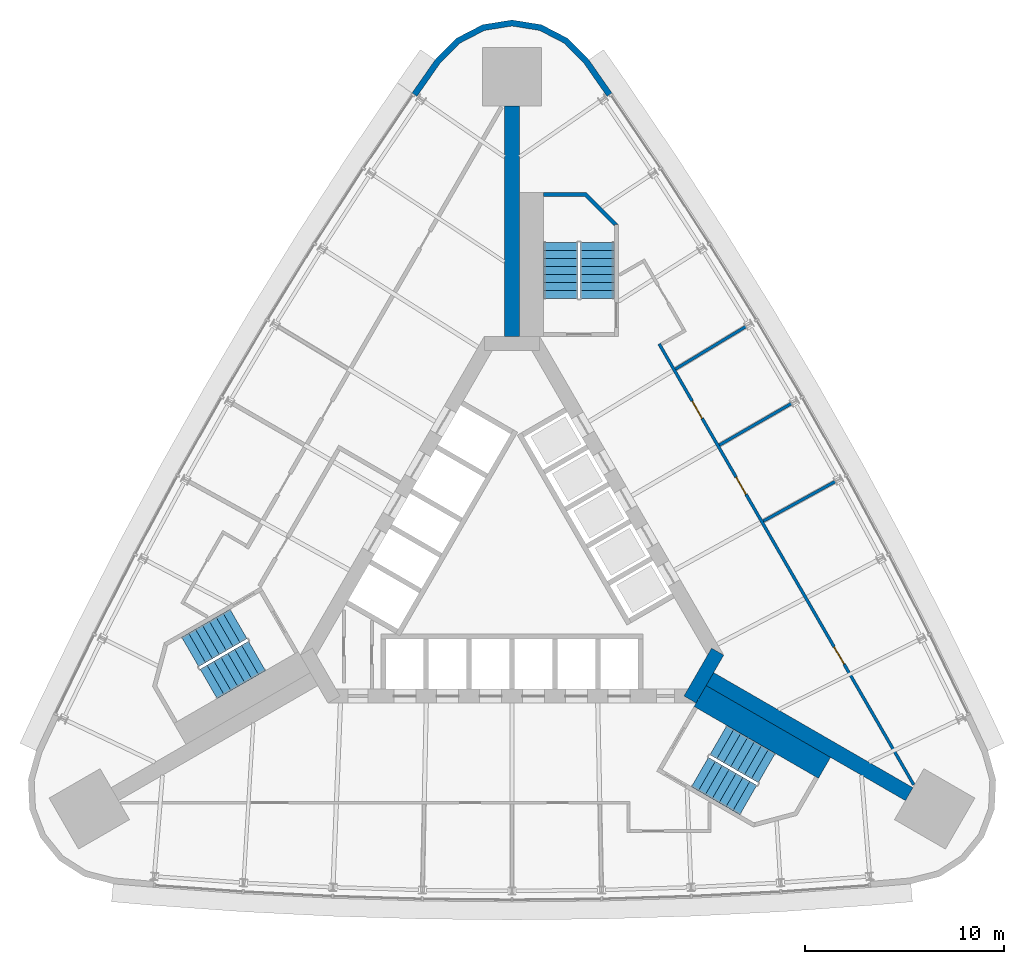
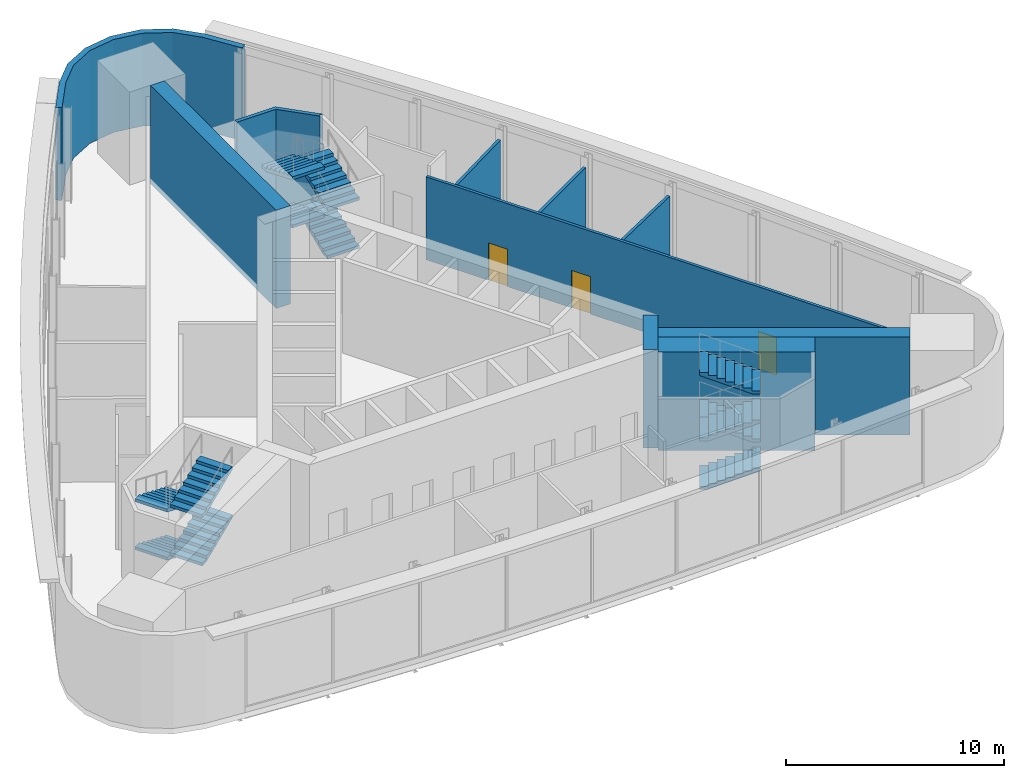
# One storey, part 8 of 11: 12 stair flights, 10 walls, 3 doors, 3 openings, 3 elements without a shape of their own.
"""IFC4 building model written with IfcOpenShell, lengths in metres."""

from ifc_helpers import new_model, si_unit, direction, frame, frame_2d, origin, place, context, subcontext, project, spatial, polyline, rectangle, outline, extrude, material, layer, layer_set, type_object, element, fill, aggregate, save


model = new_model("IFC4")

# Units and contexts
model_context = context("Model", 3, precision=1e-05, world=origin(), true_north=direction((0.0, 1.0)))
body_context = subcontext(model_context, "Body", "Model", "MODEL_VIEW")
ifc_project = project(units=[si_unit("LENGTHUNIT", "METRE"), si_unit("AREAUNIT", "SQUARE_METRE"), si_unit("VOLUMEUNIT", "CUBIC_METRE"), si_unit("PLANEANGLEUNIT", "RADIAN"), si_unit("MASSUNIT", "GRAM", prefix="KILO")], contexts=[model_context])

# Site, building, storey
site_placement = place(None, origin())
site = spatial("IfcSite", under=ifc_project, at=site_placement, CompositionType="ELEMENT")
building_placement = place(site_placement, origin())
building = spatial("IfcBuilding", under=site, at=building_placement, Name="Noor Cloister Tower", CompositionType="ELEMENT")
storey_placement = place(building_placement, frame((0.0, 0.0, 134.699951171875)))
storey = spatial("IfcBuildingStorey", under=building, at=storey_placement, Name="L34", CompositionType="ELEMENT", Elevation=134.699951171875)

# Walls
ifc_material_1 = material(Name="Concrete C70/85", Category="concrete")
ifc_layer_1 = layer(ifc_material_1, 0.75)
ifc_layer_set_1 = layer_set([ifc_layer_1], Name="Buttress wall 750 C70/85")
wall_type_1 = type_object("IfcWallType", Name="Buttress wall 750 C70/85", PredefinedType="SHEAR", material=ifc_layer_set_1)
wall_1_placement = place(storey_placement, frame((0.0, 11.456298828125, -0.300048828125), z_axis=(0.0, 0.0, 1.0), x_axis=(0.0, 1.0, 0.0)))
element("IfcWall", 1, at=wall_1_placement, inside=storey, type_object=wall_type_1, Name="Buttress wall N L34", PredefinedType="SHEAR", context=body_context, shape_type="SweptSolid", body=[
    extrude(rectangle(XDim=11.538818359375, YDim=0.75, at=frame_2d((5.76953125, 0.0))), origin(), (0.0, 0.0, 1.0), 5.5),
])
wall_2_placement = place(storey_placement, frame((9.921630859375, -5.728271484375, -0.300048828125), z_axis=(0.0, 0.0, 1.0), x_axis=(0.866024913782, -0.500000848707, 0.0)))
element("IfcWall", 2, at=wall_2_placement, inside=storey, type_object=wall_type_1, Name="Buttress wall SE L34", PredefinedType="SHEAR", context=body_context, shape_type="SweptSolid", body=[
    extrude(rectangle(XDim=11.53857421875, YDim=0.75, at=frame_2d((5.769287109375, 0.0))), origin(), (0.0, 0.0, 1.0), 5.5),
])
ifc_material_2 = material(Name="Concrete C70/85", Category="concrete")
ifc_layer_2 = layer(ifc_material_2, 0.699951171875)
ifc_layer_set_2 = layer_set([ifc_layer_2], Name="Core wall 700 C70/85")
wall_type_2 = type_object("IfcWallType", Name="Core wall 700 C70/85", PredefinedType="SHEAR", material=ifc_layer_set_2)
wall_3_placement = place(storey_placement, frame((8.925537109375, -6.753173828125, -0.300048828125), z_axis=(0.0, 0.0, 1.0), x_axis=(0.500042739161, 0.866000726912, 0.0)))
element("IfcWall", 3, at=wall_3_placement, inside=storey, type_object=wall_type_2, Name="Core wall L34 2", PredefinedType="SHEAR", context=body_context, shape_type="SweptSolid", body=[
    extrude(rectangle(XDim=2.771240234375, YDim=0.699951171875, at=frame_2d((1.3857421875, 0.0))), origin(), (0.0, 0.0, 1.0), 5.5),
])
ifc_material_3 = material(Name="Limestone", Category="masonry")
ifc_layer_3 = layer(ifc_material_3, 0.300048828125)
ifc_layer_set_3 = layer_set([ifc_layer_3], Name="Limestone cladding 300")
wall_type_3 = type_object("IfcWallType", Name="Limestone cladding 300", PredefinedType="NOTDEFINED", material=ifc_layer_set_3)
wall_4_placement = place(storey_placement, origin())
element("IfcWall", 4, at=wall_4_placement, inside=storey, type_object=wall_type_3, Name="Limestone pier cladding L34 3.1", PredefinedType="NOTDEFINED", context=body_context, shape_type="SweptSolid", body=[
    extrude(outline(polyline([(5.0126953125, 23.65576171875), (3.853271484375, 25.31689453125), (2.807373046875, 26.38818359375), (1.478271484375, 27.07763671875), (0.0, 27.3154296875), (-1.478271484375, 27.07763671875), (-2.807373046875, 26.38818359375), (-3.853271484375, 25.31689453125), (-5.0126953125, 23.65576171875), (-4.7666015625, 23.484130859375), (-3.621337890625, 25.125), (-2.62646484375, 26.14404296875), (-1.3828125, 26.7890625), (0.0, 27.011474609375), (1.3828125, 26.7890625), (2.62646484375, 26.14404296875), (3.621337890625, 25.125), (4.7666015625, 23.484130859375), (5.0126953125, 23.65576171875)])), origin(), (0.0, 0.0, 1.0), 5.199951171875),
])
ifc_material_4 = material(Name="Concrete C70/85", Category="concrete")
ifc_layer_4 = layer(ifc_material_4, 1.2109375)
ifc_layer_set_4 = layer_set([ifc_layer_4], Name="Stair enclosure wall 1211 C70/85")
wall_type_4 = type_object("IfcWallType", Name="Stair enclosure wall 1211 C70/85", PredefinedType="SHEAR", material=ifc_layer_set_4)
wall_5_placement = place(storey_placement, frame((9.431396484375, -6.5771484375, -0.300048828125), z_axis=(0.0, 0.0, 1.0), x_axis=(0.866018442252, -0.500012057535, 0.0)))
element("IfcWall", 5, at=wall_5_placement, inside=storey, type_object=wall_type_4, Name="Stair enclosure wall ST3 L34 riser side", PredefinedType="SHEAR", context=body_context, shape_type="SweptSolid", body=[
    extrude(rectangle(XDim=7.199951171875, YDim=1.210693359375, at=frame_2d((3.60009765625, 0.0))), origin(), (0.0, 0.0, 1.0), 5.5),
])
ifc_material_5 = material(Name="Concrete C70/85", Category="concrete")
wall_type_5 = type_object("IfcWallType", Name="Stair far end wall C70/85", PredefinedType="SHEAR", material=ifc_material_5)
wall_6_placement = place(storey_placement, frame((0.0, 0.0, -0.300048828125)))
element("IfcWall", 6, at=wall_6_placement, inside=storey, type_object=wall_type_5, Name="Stair enclosure wall ST1 L34 far end", PredefinedType="SHEAR", context=body_context, shape_type="SweptSolid", body=[
    extrude(outline(polyline([(5.335693359375, 17.056396484375), (3.735595703125, 18.656494140625), (1.585693359375, 18.656494140625), (1.585693359375, 18.456298828125), (3.65283203125, 18.456298828125), (5.135498046875, 16.9736328125), (5.135498046875, 17.056396484375), (5.135498046875, 17.056396484375), (5.135498046875, 17.056396484375), (5.135498046875, 17.056396484375), (5.135498046875, 17.056396484375), (5.135498046875, 17.056396484375), (5.135498046875, 17.056396484375), (5.135498046875, 17.056396484375), (5.135498046875, 17.056396484375), (5.135498046875, 17.056396484375), (5.135498046875, 17.056396484375), (5.135498046875, 17.056396484375), (5.135498046875, 17.056396484375), (5.135498046875, 17.056396484375), (5.135498046875, 17.056396484375), (5.135498046875, 17.056396484375), (5.135498046875, 17.056396484375), (5.335693359375, 17.056396484375)])), origin(), (0.0, 0.0, 1.0), 5.5),
])

# Wall, openings, doors
ifc_material_6 = material(Name="Fire-rated gypsum board partition on steel studs, 150 mm", Category="steel")
ifc_layer_5 = layer(ifc_material_6, 0.14990234375)
ifc_layer_set_5 = layer_set([ifc_layer_5], Name="Upper floor corridor wall 150")
wall_type_6 = type_object("IfcWallType", Name="Upper floor corridor wall 150", PredefinedType="PARTITIONING", material=ifc_layer_set_5)
wall_7_placement = place(storey_placement, frame((7.376708984375, 11.079345703125, 0.0), z_axis=(0.0, 0.0, 1.0), x_axis=(0.500006395474, -0.866021711325, 0.0)))
wall_7 = element("IfcWall", 7, at=wall_7_placement, inside=storey, type_object=wall_type_6, Name="Upper floor corridor wall 150 L34 017", PredefinedType="PARTITIONING", context=body_context, shape_type="SweptSolid", body=[
    extrude(rectangle(XDim=25.529052734375, YDim=0.14990234375, at=frame_2d((12.7646484375, 0.0))), origin(), (0.0, 0.0, 1.0), 4.64697265625),
])
opening_1_placement = place(wall_7_placement, frame((17.54052734375, 0.0, 0.0)))
opening_1 = element("IfcOpeningElement", 8, at=opening_1_placement, cuts=wall_7, Name="Opening L34-010", PredefinedType="OPENING", context=body_context, shape_type="SweptSolid", body=[
    extrude(rectangle(XDim=1.0, YDim=2.10009765625, at=frame_2d((0.5, 1.050048828125))), frame((0.0, 0.0849609375, 0.0), z_axis=(0.0, -1.0, 0.0), x_axis=(1.0, 0.0, 0.0)), (0.0, 0.0, 1.0), 0.169921875),
])
opening_2_placement = place(wall_7_placement, frame((7.710205078125, 0.0, 0.0)))
opening_2 = element("IfcOpeningElement", 9, at=opening_2_placement, cuts=wall_7, Name="Opening L34-011", PredefinedType="OPENING", context=body_context, shape_type="SweptSolid", body=[
    extrude(rectangle(XDim=1.0, YDim=2.10009765625, at=frame_2d((0.5, 1.050048828125))), frame((0.0, 0.0849609375, 0.0), z_axis=(0.0, -1.0, 0.0), x_axis=(1.0, 0.0, 0.0)), (0.0, 0.0, 1.0), 0.169921875),
])
opening_3_placement = place(wall_7_placement, frame((3.310546875, 0.0, 0.0)))
opening_3 = element("IfcOpeningElement", 10, at=opening_3_placement, cuts=wall_7, Name="Opening L34-012", PredefinedType="OPENING", context=body_context, shape_type="SweptSolid", body=[
    extrude(rectangle(XDim=1.0, YDim=2.10009765625, at=frame_2d((0.5, 1.050048828125))), frame((0.0, 0.0849609375, 0.0), z_axis=(0.0, -1.0, 0.0), x_axis=(1.0, 0.0, 0.0)), (0.0, 0.0, 1.0), 0.169921875),
])
ifc_material_7 = material(Name="Timber door leaf with steel frame", Category="steel")
door_type_1 = type_object("IfcDoorType", Name="Accessible WC door 1000 on the sky floors", OperationType="NOTDEFINED", PredefinedType="DOOR", material=ifc_material_7)
door_1_placement = place(opening_2_placement, origin())
door_1 = element("IfcDoor", 11, at=door_1_placement, inside=storey, type_object=door_type_1, Name="Accessible WC door 1000 on the sky floors L34-011", OperationType="SINGLE_SWING_LEFT", OverallHeight=2.10009765625, OverallWidth=1.0, PredefinedType="DOOR", context=body_context, shape_type="SweptSolid", body=[
    extrude(rectangle(XDim=1.0, YDim=2.10009765625, at=frame_2d((0.5, 1.050048828125))), frame((0.0, 0.02490234375, 0.0), z_axis=(0.0, -1.0, 0.0), x_axis=(1.0, 0.0, 0.0)), (0.0, 0.0, 1.0), 0.050048828125),
])
fill(opening_2, door_1)
ifc_material_8 = material(Name="Timber door leaf with steel frame", Category="steel")
door_type_2 = type_object("IfcDoorType", Name="Public room door 1000", OperationType="NOTDEFINED", PredefinedType="DOOR", material=ifc_material_8)
door_2_placement = place(opening_3_placement, origin())
door_2 = element("IfcDoor", 12, at=door_2_placement, inside=storey, type_object=door_type_2, Name="Public room door 1000 L34-012", OperationType="SINGLE_SWING_LEFT", OverallHeight=2.10009765625, OverallWidth=1.0, PredefinedType="DOOR", context=body_context, shape_type="SweptSolid", body=[
    extrude(rectangle(XDim=1.0, YDim=2.10009765625, at=frame_2d((0.5, 1.050048828125))), frame((0.0, 0.02490234375, 0.0), z_axis=(0.0, -1.0, 0.0), x_axis=(1.0, 0.0, 0.0)), (0.0, 0.0, 1.0), 0.050048828125),
])
fill(opening_3, door_2)
ifc_material_9 = material(Name="Timber door leaf with steel frame", Category="steel")
door_type_3 = type_object("IfcDoorType", Name="Staff room door 1000", OperationType="NOTDEFINED", PredefinedType="DOOR", material=ifc_material_9)
door_3_placement = place(opening_1_placement, origin())
door_3 = element("IfcDoor", 13, at=door_3_placement, inside=storey, type_object=door_type_3, Name="Staff room door 1000 L34-010", OperationType="SINGLE_SWING_RIGHT", OverallHeight=2.10009765625, OverallWidth=1.0, PredefinedType="DOOR", context=body_context, shape_type="SweptSolid", body=[
    extrude(rectangle(XDim=1.0, YDim=2.10009765625, at=frame_2d((0.5, 1.050048828125))), frame((0.0, 0.02490234375, 0.0), z_axis=(0.0, -1.0, 0.0), x_axis=(1.0, 0.0, 0.0)), (0.0, 0.0, 1.0), 0.050048828125),
])
fill(opening_1, door_3)

# Walls
wall_8_placement = place(storey_placement, frame((12.596923828125, 2.190673828125, 0.0), z_axis=(0.0, 0.0, 1.0), x_axis=(0.875990873932, 0.482327677816, 0.0)))
element("IfcWall", 14, at=wall_8_placement, inside=storey, type_object=wall_type_6, Name="Upper floor corridor wall 150 L34 018", PredefinedType="PARTITIONING", context=body_context, shape_type="SweptSolid", body=[
    extrude(rectangle(XDim=4.124755859375, YDim=0.14990234375, at=frame_2d((2.0625, 0.0))), origin(), (0.0, 0.0, 1.0), 4.64697265625),
])
wall_9_placement = place(storey_placement, frame((10.39501953125, 6.001708984375, 0.0), z_axis=(0.0, 0.0, 1.0), x_axis=(0.866022798998, 0.500004511595, 0.0)))
element("IfcWall", 15, at=wall_9_placement, inside=storey, type_object=wall_type_6, Name="Upper floor corridor wall 150 L34 019", PredefinedType="PARTITIONING", context=body_context, shape_type="SweptSolid", body=[
    extrude(rectangle(XDim=4.1708984375, YDim=0.14990234375, at=frame_2d((2.08544921875, 0.0))), origin(), (0.0, 0.0, 1.0), 4.64697265625),
])
wall_10_placement = place(storey_placement, frame((8.19580078125, 9.81396484375, 0.0), z_axis=(0.0, 0.0, 1.0), x_axis=(0.855675295062, 0.517513081401, 0.0)))
element("IfcWall", 16, at=wall_10_placement, inside=storey, type_object=wall_type_6, Name="Upper floor corridor wall 150 L34 020", PredefinedType="PARTITIONING", context=body_context, shape_type="SweptSolid", body=[
    extrude(rectangle(XDim=4.12451171875, YDim=0.14990234375, at=frame_2d((2.062255859375, 0.0))), origin(), (0.0, 0.0, 1.0), 4.64697265625),
])

# Stair, stair flights
ifc_material_10 = material(Name="Concrete C40/50", Category="concrete")
stair_type = type_object("IfcStairType", Name="Exit stair 32 risers", PredefinedType="HALF_TURN_STAIR", material=ifc_material_10)
stair_1_placement = place(storey_placement, origin())
stair_1 = element("IfcStair", 17, at=stair_1_placement, inside=storey, type_object=stair_type, Name="Exit stair ST1 L34", PredefinedType="HALF_TURN_STAIR")
ifc_material_11 = material(Name="Concrete C40/50", Category="concrete")
stair_flight_type = type_object("IfcStairFlightType", Name="Exit stair flight", PredefinedType="STRAIGHT", material=ifc_material_11)
stair_flight_1_placement = place(storey_placement, frame((4.28564453125, 13.3564453125, 0.0), z_axis=(0.0, 0.0, 1.0), x_axis=(0.0, 1.0, 0.0)))
stair_flight_1 = element("IfcStairFlight", 18, at=stair_flight_1_placement, type_object=stair_flight_type, Name="ST1 flight 1", NumberOfRisers=8, NumberOfTreads=7, PredefinedType="STRAIGHT", RiserHeight=0.16875, TreadLength=0.4, context=body_context, shape_type="SweptSolid", body=[
    extrude(outline(polyline([(0.0, 0.0), (0.0, 0.168701171875), (0.39990234375, 0.168701171875), (0.39990234375, 0.33740234375), (0.800048828125, 0.33740234375), (0.800048828125, 0.50634765625), (1.199951171875, 0.50634765625), (1.199951171875, 0.675048828125), (1.60009765625, 0.675048828125), (1.60009765625, 0.84375), (2.0, 0.84375), (2.0, 1.012451171875), (2.39990234375, 1.012451171875), (2.39990234375, 1.18115234375), (2.800048828125, 1.18115234375), (2.800048828125, 1.35009765625), (2.800048828125, 1.0185546875), (0.3857421875, 0.0), (0.0, 0.0)])), frame((0.0, 0.85009765625, 0.0), z_axis=(0.0, -1.0, 0.0), x_axis=(1.0, 0.0, 0.0)), (0.0, 0.0, 1.0), 1.699951171875),
])
stair_flight_2_placement = place(storey_placement, frame((2.435546875, 16.156494140625, 1.35009765625), z_axis=(0.0, 0.0, 1.0), x_axis=(0.0, -1.0, 0.0)))
stair_flight_2 = element("IfcStairFlight", 19, at=stair_flight_2_placement, type_object=stair_flight_type, Name="ST1 flight 2", NumberOfRisers=8, NumberOfTreads=7, PredefinedType="STRAIGHT", RiserHeight=0.16875, TreadLength=0.4, context=body_context, shape_type="SweptSolid", body=[
    extrude(outline(polyline([(0.0, 0.0), (0.0, 0.168701171875), (0.39990234375, 0.168701171875), (0.39990234375, 0.33740234375), (0.800048828125, 0.33740234375), (0.800048828125, 0.50634765625), (1.199951171875, 0.50634765625), (1.199951171875, 0.675048828125), (1.60009765625, 0.675048828125), (1.60009765625, 0.84375), (2.0, 0.84375), (2.0, 1.012451171875), (2.39990234375, 1.012451171875), (2.39990234375, 1.18115234375), (2.800048828125, 1.18115234375), (2.800048828125, 1.35009765625), (2.800048828125, 1.0185546875), (0.3857421875, 0.0), (0.0, 0.0)])), frame((0.0, 0.85009765625, 0.0), z_axis=(0.0, -1.0, 0.0), x_axis=(1.0, 0.0, 0.0)), (0.0, 0.0, 1.0), 1.699951171875),
])
stair_flight_3_placement = place(storey_placement, frame((4.28564453125, 13.3564453125, 2.699951171875), z_axis=(0.0, 0.0, 1.0), x_axis=(0.0, 1.0, 0.0)))
stair_flight_3 = element("IfcStairFlight", 20, at=stair_flight_3_placement, type_object=stair_flight_type, Name="ST1 flight 3", NumberOfRisers=8, NumberOfTreads=7, PredefinedType="STRAIGHT", RiserHeight=0.16875, TreadLength=0.4, context=body_context, shape_type="SweptSolid", body=[
    extrude(outline(polyline([(0.0, 0.0), (0.0, 0.168701171875), (0.39990234375, 0.168701171875), (0.39990234375, 0.33740234375), (0.800048828125, 0.33740234375), (0.800048828125, 0.50634765625), (1.199951171875, 0.50634765625), (1.199951171875, 0.675048828125), (1.60009765625, 0.675048828125), (1.60009765625, 0.84375), (2.0, 0.84375), (2.0, 1.012451171875), (2.39990234375, 1.012451171875), (2.39990234375, 1.18115234375), (2.800048828125, 1.18115234375), (2.800048828125, 1.35009765625), (2.800048828125, 1.0185546875), (0.3857421875, 0.0), (0.0, 0.0)])), frame((0.0, 0.85009765625, 0.0), z_axis=(0.0, -1.0, 0.0), x_axis=(1.0, 0.0, 0.0)), (0.0, 0.0, 1.0), 1.699951171875),
])
stair_flight_4_placement = place(storey_placement, frame((2.435546875, 16.156494140625, 4.050048828125), z_axis=(0.0, 0.0, 1.0), x_axis=(0.0, -1.0, 0.0)))
stair_flight_4 = element("IfcStairFlight", 21, at=stair_flight_4_placement, type_object=stair_flight_type, Name="ST1 flight 4", NumberOfRisers=8, NumberOfTreads=7, PredefinedType="STRAIGHT", RiserHeight=0.16875, TreadLength=0.4, context=body_context, shape_type="SweptSolid", body=[
    extrude(outline(polyline([(0.0, 0.0), (0.0, 0.168701171875), (0.39990234375, 0.168701171875), (0.39990234375, 0.33740234375), (0.800048828125, 0.33740234375), (0.800048828125, 0.50634765625), (1.199951171875, 0.50634765625), (1.199951171875, 0.675048828125), (1.60009765625, 0.675048828125), (1.60009765625, 0.84375), (2.0, 0.84375), (2.0, 1.012451171875), (2.39990234375, 1.012451171875), (2.39990234375, 1.18115234375), (2.800048828125, 1.18115234375), (2.800048828125, 1.35009765625), (2.800048828125, 1.0185546875), (0.3857421875, 0.0), (0.0, 0.0)])), frame((0.0, 0.85009765625, 0.0), z_axis=(0.0, -1.0, 0.0), x_axis=(1.0, 0.0, 0.0)), (0.0, 0.0, 1.0), 1.699951171875),
])
aggregate(stair_1, [stair_flight_1, stair_flight_2, stair_flight_3, stair_flight_4])

stair_2_placement = place(storey_placement, origin())
stair_2 = element("IfcStair", 22, at=stair_2_placement, inside=storey, type_object=stair_type, Name="Exit stair ST2 L34", PredefinedType="HALF_TURN_STAIR")
stair_flight_5_placement = place(storey_placement, frame((-13.709716796875, -2.966796875, 0.0), z_axis=(0.0, 0.0, 1.0), x_axis=(-0.866025403784, -0.5, 0.0)))
stair_flight_5 = element("IfcStairFlight", 23, at=stair_flight_5_placement, type_object=stair_flight_type, Name="ST2 flight 1", NumberOfRisers=8, NumberOfTreads=7, PredefinedType="STRAIGHT", RiserHeight=0.16875, TreadLength=0.4, context=body_context, shape_type="SweptSolid", body=[
    extrude(outline(polyline([(0.0, 0.0), (0.0, 0.168701171875), (0.39990234375, 0.168701171875), (0.39990234375, 0.33740234375), (0.800048828125, 0.33740234375), (0.800048828125, 0.50634765625), (1.199951171875, 0.50634765625), (1.199951171875, 0.675048828125), (1.60009765625, 0.675048828125), (1.60009765625, 0.84375), (2.0, 0.84375), (2.0, 1.012451171875), (2.39990234375, 1.012451171875), (2.39990234375, 1.18115234375), (2.800048828125, 1.18115234375), (2.800048828125, 1.35009765625), (2.800048828125, 1.0185546875), (0.3857421875, 0.0), (0.0, 0.0)])), frame((0.0, 0.85009765625, 0.0), z_axis=(0.0, -1.0, 0.0), x_axis=(1.0, 0.0, 0.0)), (0.0, 0.0, 1.0), 1.699951171875),
])
stair_flight_6_placement = place(storey_placement, frame((-15.209716796875, -5.968994140625, 1.35009765625), z_axis=(0.0, 0.0, 1.0), x_axis=(0.866025403784, 0.5, 0.0)))
stair_flight_6 = element("IfcStairFlight", 24, at=stair_flight_6_placement, type_object=stair_flight_type, Name="ST2 flight 2", NumberOfRisers=8, NumberOfTreads=7, PredefinedType="STRAIGHT", RiserHeight=0.16875, TreadLength=0.4, context=body_context, shape_type="SweptSolid", body=[
    extrude(outline(polyline([(0.0, 0.0), (0.0, 0.168701171875), (0.39990234375, 0.168701171875), (0.39990234375, 0.33740234375), (0.800048828125, 0.33740234375), (0.800048828125, 0.50634765625), (1.199951171875, 0.50634765625), (1.199951171875, 0.675048828125), (1.60009765625, 0.675048828125), (1.60009765625, 0.84375), (2.0, 0.84375), (2.0, 1.012451171875), (2.39990234375, 1.012451171875), (2.39990234375, 1.18115234375), (2.800048828125, 1.18115234375), (2.800048828125, 1.35009765625), (2.800048828125, 1.0185546875), (0.3857421875, 0.0), (0.0, 0.0)])), frame((0.0, 0.85009765625, 0.0), z_axis=(0.0, -1.0, 0.0), x_axis=(1.0, 0.0, 0.0)), (0.0, 0.0, 1.0), 1.699951171875),
])
stair_flight_7_placement = place(storey_placement, frame((-13.709716796875, -2.966796875, 2.699951171875), z_axis=(0.0, 0.0, 1.0), x_axis=(-0.866025403784, -0.5, 0.0)))
stair_flight_7 = element("IfcStairFlight", 25, at=stair_flight_7_placement, type_object=stair_flight_type, Name="ST2 flight 3", NumberOfRisers=8, NumberOfTreads=7, PredefinedType="STRAIGHT", RiserHeight=0.16875, TreadLength=0.4, context=body_context, shape_type="SweptSolid", body=[
    extrude(outline(polyline([(0.0, 0.0), (0.0, 0.168701171875), (0.39990234375, 0.168701171875), (0.39990234375, 0.33740234375), (0.800048828125, 0.33740234375), (0.800048828125, 0.50634765625), (1.199951171875, 0.50634765625), (1.199951171875, 0.675048828125), (1.60009765625, 0.675048828125), (1.60009765625, 0.84375), (2.0, 0.84375), (2.0, 1.012451171875), (2.39990234375, 1.012451171875), (2.39990234375, 1.18115234375), (2.800048828125, 1.18115234375), (2.800048828125, 1.35009765625), (2.800048828125, 1.0185546875), (0.3857421875, 0.0), (0.0, 0.0)])), frame((0.0, 0.85009765625, 0.0), z_axis=(0.0, -1.0, 0.0), x_axis=(1.0, 0.0, 0.0)), (0.0, 0.0, 1.0), 1.699951171875),
])
stair_flight_8_placement = place(storey_placement, frame((-15.209716796875, -5.968994140625, 4.050048828125), z_axis=(0.0, 0.0, 1.0), x_axis=(0.866025403784, 0.5, 0.0)))
stair_flight_8 = element("IfcStairFlight", 26, at=stair_flight_8_placement, type_object=stair_flight_type, Name="ST2 flight 4", NumberOfRisers=8, NumberOfTreads=7, PredefinedType="STRAIGHT", RiserHeight=0.16875, TreadLength=0.4, context=body_context, shape_type="SweptSolid", body=[
    extrude(outline(polyline([(0.0, 0.0), (0.0, 0.168701171875), (0.39990234375, 0.168701171875), (0.39990234375, 0.33740234375), (0.800048828125, 0.33740234375), (0.800048828125, 0.50634765625), (1.199951171875, 0.50634765625), (1.199951171875, 0.675048828125), (1.60009765625, 0.675048828125), (1.60009765625, 0.84375), (2.0, 0.84375), (2.0, 1.012451171875), (2.39990234375, 1.012451171875), (2.39990234375, 1.18115234375), (2.800048828125, 1.18115234375), (2.800048828125, 1.35009765625), (2.800048828125, 1.0185546875), (0.3857421875, 0.0), (0.0, 0.0)])), frame((0.0, 0.85009765625, 0.0), z_axis=(0.0, -1.0, 0.0), x_axis=(1.0, 0.0, 0.0)), (0.0, 0.0, 1.0), 1.699951171875),
])
aggregate(stair_2, [stair_flight_5, stair_flight_6, stair_flight_7, stair_flight_8])

stair_3_placement = place(storey_placement, origin())
stair_3 = element("IfcStair", 27, at=stair_3_placement, inside=storey, type_object=stair_type, Name="Exit stair ST3 L34", PredefinedType="HALF_TURN_STAIR")
stair_flight_9_placement = place(storey_placement, frame((9.424072265625, -10.3896484375, 0.0), z_axis=(0.0, 0.0, 1.0), x_axis=(0.866025403784, -0.5, 0.0)))
stair_flight_9 = element("IfcStairFlight", 28, at=stair_flight_9_placement, type_object=stair_flight_type, Name="ST3 flight 1", NumberOfRisers=8, NumberOfTreads=7, PredefinedType="STRAIGHT", RiserHeight=0.16875, TreadLength=0.4, context=body_context, shape_type="SweptSolid", body=[
    extrude(outline(polyline([(0.0, 0.0), (0.0, 0.168701171875), (0.39990234375, 0.168701171875), (0.39990234375, 0.33740234375), (0.800048828125, 0.33740234375), (0.800048828125, 0.50634765625), (1.199951171875, 0.50634765625), (1.199951171875, 0.675048828125), (1.60009765625, 0.675048828125), (1.60009765625, 0.84375), (2.0, 0.84375), (2.0, 1.012451171875), (2.39990234375, 1.012451171875), (2.39990234375, 1.18115234375), (2.800048828125, 1.18115234375), (2.800048828125, 1.35009765625), (2.800048828125, 1.0185546875), (0.3857421875, 0.0), (0.0, 0.0)])), frame((0.0, 0.85009765625, 0.0), z_axis=(0.0, -1.0, 0.0), x_axis=(1.0, 0.0, 0.0)), (0.0, 0.0, 1.0), 1.699951171875),
])
stair_flight_10_placement = place(storey_placement, frame((12.77392578125, -10.1875, 1.35009765625), z_axis=(0.0, 0.0, 1.0), x_axis=(-0.866025403784, 0.5, 0.0)))
stair_flight_10 = element("IfcStairFlight", 29, at=stair_flight_10_placement, type_object=stair_flight_type, Name="ST3 flight 2", NumberOfRisers=8, NumberOfTreads=7, PredefinedType="STRAIGHT", RiserHeight=0.16875, TreadLength=0.4, context=body_context, shape_type="SweptSolid", body=[
    extrude(outline(polyline([(0.0, 0.0), (0.0, 0.168701171875), (0.39990234375, 0.168701171875), (0.39990234375, 0.33740234375), (0.800048828125, 0.33740234375), (0.800048828125, 0.50634765625), (1.199951171875, 0.50634765625), (1.199951171875, 0.675048828125), (1.60009765625, 0.675048828125), (1.60009765625, 0.84375), (2.0, 0.84375), (2.0, 1.012451171875), (2.39990234375, 1.012451171875), (2.39990234375, 1.18115234375), (2.800048828125, 1.18115234375), (2.800048828125, 1.35009765625), (2.800048828125, 1.0185546875), (0.3857421875, 0.0), (0.0, 0.0)])), frame((0.0, 0.85009765625, 0.0), z_axis=(0.0, -1.0, 0.0), x_axis=(1.0, 0.0, 0.0)), (0.0, 0.0, 1.0), 1.699951171875),
])
stair_flight_11_placement = place(storey_placement, frame((9.424072265625, -10.3896484375, 2.699951171875), z_axis=(0.0, 0.0, 1.0), x_axis=(0.866025403784, -0.5, 0.0)))
stair_flight_11 = element("IfcStairFlight", 30, at=stair_flight_11_placement, type_object=stair_flight_type, Name="ST3 flight 3", NumberOfRisers=8, NumberOfTreads=7, PredefinedType="STRAIGHT", RiserHeight=0.16875, TreadLength=0.4, context=body_context, shape_type="SweptSolid", body=[
    extrude(outline(polyline([(0.0, 0.0), (0.0, 0.168701171875), (0.39990234375, 0.168701171875), (0.39990234375, 0.33740234375), (0.800048828125, 0.33740234375), (0.800048828125, 0.50634765625), (1.199951171875, 0.50634765625), (1.199951171875, 0.675048828125), (1.60009765625, 0.675048828125), (1.60009765625, 0.84375), (2.0, 0.84375), (2.0, 1.012451171875), (2.39990234375, 1.012451171875), (2.39990234375, 1.18115234375), (2.800048828125, 1.18115234375), (2.800048828125, 1.35009765625), (2.800048828125, 1.0185546875), (0.3857421875, 0.0), (0.0, 0.0)])), frame((0.0, 0.85009765625, 0.0), z_axis=(0.0, -1.0, 0.0), x_axis=(1.0, 0.0, 0.0)), (0.0, 0.0, 1.0), 1.699951171875),
])
stair_flight_12_placement = place(storey_placement, frame((12.77392578125, -10.1875, 4.050048828125), z_axis=(0.0, 0.0, 1.0), x_axis=(-0.866025403784, 0.5, 0.0)))
stair_flight_12 = element("IfcStairFlight", 31, at=stair_flight_12_placement, type_object=stair_flight_type, Name="ST3 flight 4", NumberOfRisers=8, NumberOfTreads=7, PredefinedType="STRAIGHT", RiserHeight=0.16875, TreadLength=0.4, context=body_context, shape_type="SweptSolid", body=[
    extrude(outline(polyline([(0.0, 0.0), (0.0, 0.168701171875), (0.39990234375, 0.168701171875), (0.39990234375, 0.33740234375), (0.800048828125, 0.33740234375), (0.800048828125, 0.50634765625), (1.199951171875, 0.50634765625), (1.199951171875, 0.675048828125), (1.60009765625, 0.675048828125), (1.60009765625, 0.84375), (2.0, 0.84375), (2.0, 1.012451171875), (2.39990234375, 1.012451171875), (2.39990234375, 1.18115234375), (2.800048828125, 1.18115234375), (2.800048828125, 1.35009765625), (2.800048828125, 1.0185546875), (0.3857421875, 0.0), (0.0, 0.0)])), frame((0.0, 0.85009765625, 0.0), z_axis=(0.0, -1.0, 0.0), x_axis=(1.0, 0.0, 0.0)), (0.0, 0.0, 1.0), 1.699951171875),
])
aggregate(stair_3, [stair_flight_9, stair_flight_10, stair_flight_11, stair_flight_12])

save(model, "model.ifc")
